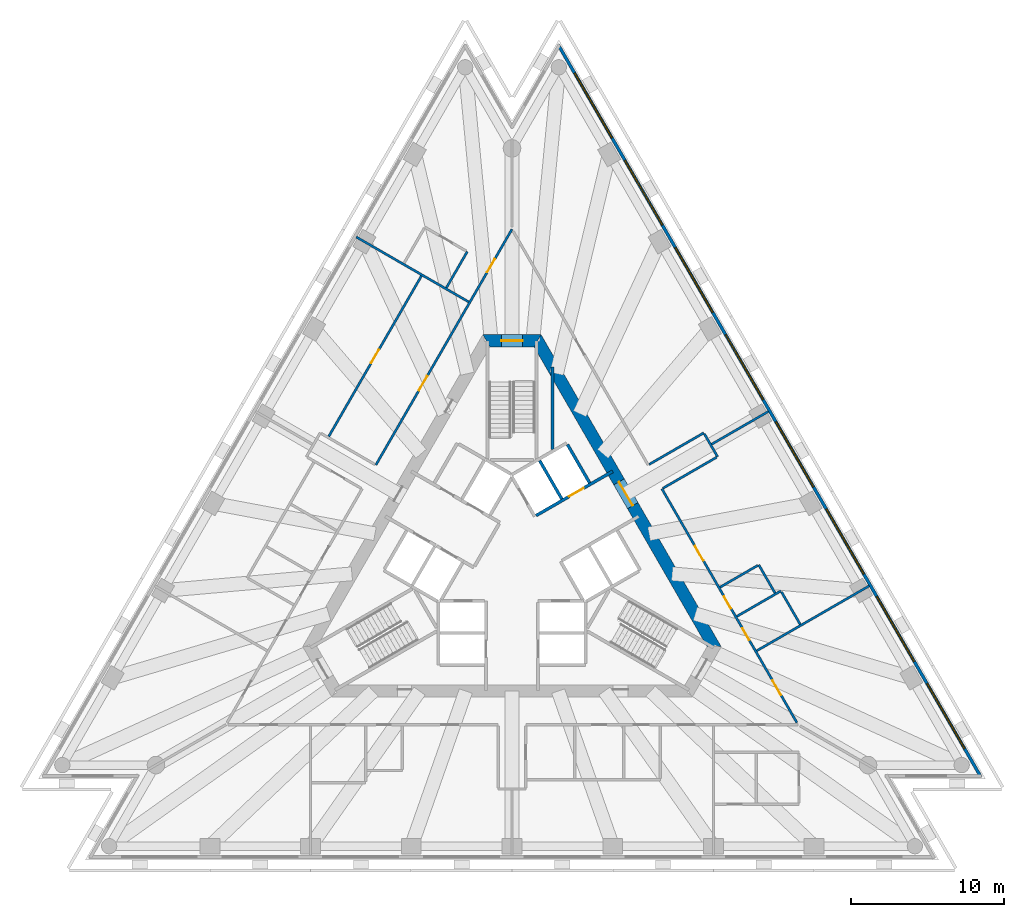
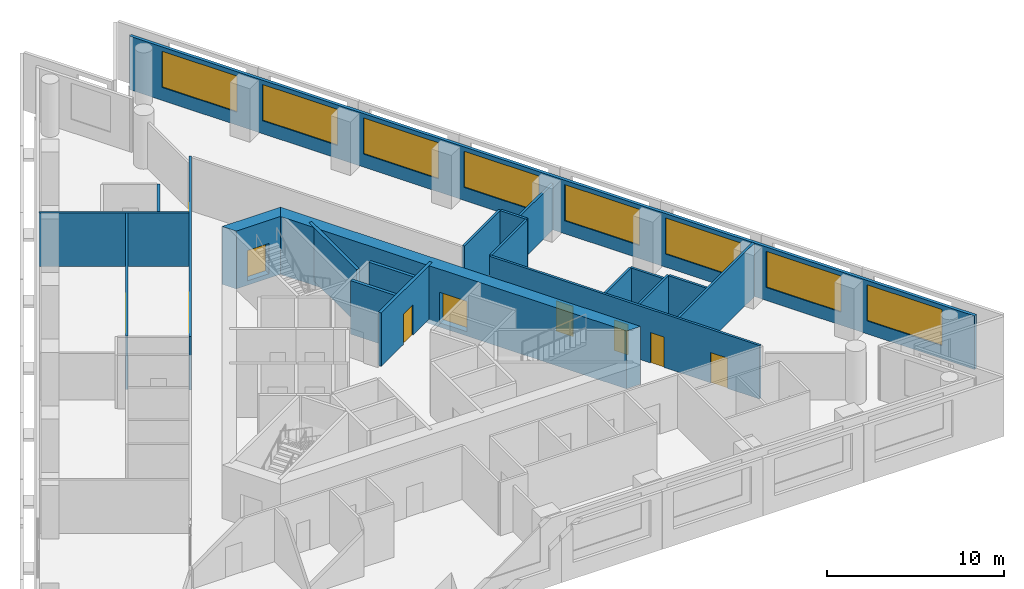
# One storey, part 6 of 10: 21 walls, 10 doors, 8 windows, 18 openings.
"""IFC4 building model written with IfcOpenShell, lengths in metres."""

import ifcopenshell
import ifcopenshell.guid

model = None  # the IFC model being written
_history = None  # IfcOwnerHistory: only IFC2X3 demands one
_inside = {}  # id of a spatial element -> (the spatial element, [elements in it])
_under = {}  # id of a project, library or spatial element -> (it, [spatial elements below it])
_declared = {}  # id of a project -> (the project, [libraries it declares])
_typed = {}  # id of a type object -> (the type object, [elements of that type])
_made_of = {}  # id of a material, layer set ... -> (it, [elements and type objects made of it])


def new_model(schema):
    """Start an empty IFC model of exactly this schema.

    Asked for "IFC4X3", IfcOpenShell would pick the latest addendum, in which some entities
    have other attributes; the version numbers below select the first issue.
    IFC2X3 requires an IfcOwnerHistory on every rooted entity: one is made here for all.
    """
    global model, _history
    if schema == "IFC4X3":
        model = ifcopenshell.file(schema_version=(4, 3, 0, 0))
    else:
        model = ifcopenshell.file(schema=schema)
    _inside.clear()
    _under.clear()
    _declared.clear()
    _typed.clear()
    _made_of.clear()
    _history = None
    if model.schema == "IFC2X3":
        org = make("IfcOrganization", Name="unknown")
        user = make(
            "IfcPersonAndOrganization",
            ThePerson=make("IfcPerson", FamilyName="unknown"),
            TheOrganization=org,
        )
        app = make(
            "IfcApplication",
            ApplicationDeveloper=org,
            Version="unknown",
            ApplicationFullName="unknown",
            ApplicationIdentifier="unknown",
        )
        _history = make(
            "IfcOwnerHistory",
            OwningUser=user,
            OwningApplication=app,
            ChangeAction="ADDED",
            CreationDate=0,
        )
    return model


def make(cls, **values):
    """One entity of the class cls with the attributes given. An attribute that is None is left unset."""
    return model.create_entity(
        cls, **{name: value for name, value in values.items() if value is not None}
    )


def rooted(cls, **values):
    """An entity with a GlobalId (a new one), such as an element, a storey or a relation."""
    return make(cls, GlobalId=ifcopenshell.guid.new(), OwnerHistory=_history, **values)


def si_unit(unit_type, name, prefix=None):
    """IfcSIUnit, for example si_unit("LENGTHUNIT", "METRE", prefix="MILLI")."""
    return make("IfcSIUnit", UnitType=unit_type, Prefix=prefix, Name=name)


def assignment(units):
    """IfcUnitAssignment: the units of a project."""
    return None if units is None else make("IfcUnitAssignment", Units=units)


def point(xyz):
    """IfcCartesianPoint."""
    return None if xyz is None else make("IfcCartesianPoint", Coordinates=xyz)


def direction(xyz):
    """IfcDirection."""
    return None if xyz is None else make("IfcDirection", DirectionRatios=xyz)


def frame(location, z_axis=None, x_axis=None):
    """IfcAxis2Placement3D, a coordinate frame: its origin and axes. An axis left out is left unset."""
    return make(
        "IfcAxis2Placement3D",
        Location=point(location),
        Axis=direction(z_axis),
        RefDirection=direction(x_axis),
    )


def frame_2d(location, x_axis=None):
    """IfcAxis2Placement2D, a coordinate frame in the plane: its origin and x axis."""
    return make(
        "IfcAxis2Placement2D", Location=point(location), RefDirection=direction(x_axis)
    )


def origin():
    """The frame at (0, 0, 0) with its axes left unset."""
    return frame((0.0, 0.0, 0.0))


def place(relative_to, where):
    """IfcLocalPlacement: puts the frame where relative to a parent placement (None: the world)."""
    return make(
        "IfcLocalPlacement", PlacementRelTo=relative_to, RelativePlacement=where
    )


def context(
    kind, dimensions, precision=None, world=None, true_north=None, identifier=None
):
    """IfcGeometricRepresentationContext, for example the 3D "Model" context."""
    return make(
        "IfcGeometricRepresentationContext",
        ContextIdentifier=identifier,
        ContextType=kind,
        CoordinateSpaceDimension=dimensions,
        Precision=precision,
        WorldCoordinateSystem=world,
        TrueNorth=true_north,
    )


def subcontext(parent, identifier, kind, view, scale=None):
    """IfcGeometricRepresentationSubContext, for example "Body" below "Model"."""
    return make(
        "IfcGeometricRepresentationSubContext",
        ContextIdentifier=identifier,
        ContextType=kind,
        ParentContext=parent,
        TargetScale=scale,
        TargetView=view,
    )


def project(units=None, contexts=None):
    """IfcProject with its units and contexts."""
    return rooted(
        "IfcProject",
        Name="project",
        RepresentationContexts=contexts,
        UnitsInContext=assignment(units),
    )


def spatial(cls, under=None, at=None, **own):
    """A site, building, storey or space (cls), placed at a placement, below another one or the project."""
    s = rooted(cls, ObjectPlacement=at, **own)
    if under is not None:
        _under.setdefault(under.id(), (under, []))[1].append(s)
    return s


def polyline(points):
    """IfcPolyline through the points."""
    return make("IfcPolyline", Points=[point(p) for p in points])


def profile(cls, at=None, kind="AREA", **sizes):
    """A parametric profile (cls). Its sizes go by their IFC names, for example OverallWidth=200.0."""
    return make(cls, ProfileType=kind, Position=at, **sizes)


def rectangle(**sizes):
    """IfcRectangleProfileDef."""
    return profile("IfcRectangleProfileDef", **sizes)


def outline(outer, holes=None, kind="AREA"):
    """IfcArbitraryClosedProfileDef: a profile drawn as a closed curve; with holes, ...WithVoids."""
    if holes is None:
        return make("IfcArbitraryClosedProfileDef", ProfileType=kind, OuterCurve=outer)
    return make(
        "IfcArbitraryProfileDefWithVoids",
        ProfileType=kind,
        OuterCurve=outer,
        InnerCurves=holes,
    )


def extrude(swept, where, along, depth):
    """IfcExtrudedAreaSolid: the profile swept, set in the frame where, extruded along a direction by depth."""
    return make(
        "IfcExtrudedAreaSolid",
        SweptArea=swept,
        Position=where,
        ExtrudedDirection=direction(along),
        Depth=depth,
    )


def shape(context_of_items, identifier, shape_type, items):
    """IfcShapeRepresentation: the items that make up one representation, for example the "Body"."""
    return make(
        "IfcShapeRepresentation",
        ContextOfItems=context_of_items,
        RepresentationIdentifier=identifier,
        RepresentationType=shape_type,
        Items=items,
    )


def material(Name=None, Category=None):
    """IfcMaterial."""
    return make("IfcMaterial", Name=Name, Category=Category)


def layer(
    of_material, thickness, ventilated=None, Name=None, Category=None, Priority=None
):
    """IfcMaterialLayer: one layer of a wall or slab, of a material (None: an air gap)."""
    return make(
        "IfcMaterialLayer",
        Material=of_material,
        LayerThickness=thickness,
        IsVentilated=ventilated,
        Name=Name,
        Category=Category,
        Priority=Priority,
    )


def layer_set(layers, Name=None):
    """IfcMaterialLayerSet."""
    return make("IfcMaterialLayerSet", MaterialLayers=layers, LayerSetName=Name)


def layer_usage(for_layer_set, set_direction, sense, offset, extent=None):
    """IfcMaterialLayerSetUsage: how a layer set lies in its element."""
    return make(
        "IfcMaterialLayerSetUsage",
        ForLayerSet=for_layer_set,
        LayerSetDirection=set_direction,
        DirectionSense=sense,
        OffsetFromReferenceLine=offset,
        ReferenceExtent=extent,
    )


def made_of(thing, what):
    """Note that an element or type object is made of a material, layer set ...; save() writes the relation."""
    if what is not None:
        _made_of.setdefault(what.id(), (what, []))[1].append(thing)
    return thing


def type_object(cls, material=None, **own):
    """A type object (cls), such as IfcWallType, which elements share."""
    return made_of(rooted(cls, **own), material)


def element(
    cls,
    number,
    at=None,
    inside=None,
    cuts=None,
    type_object=None,
    material=None,
    context=None,
    identifier="Body",
    shape_type=None,
    held_by="IfcProductDefinitionShape",
    body=None,
    shapes=None,
    **own,
):
    """One element of the class cls, such as IfcWall. Its Tag is "e" and its number.

    at: its placement. inside: the storey or other place that contains it. cuts: it is an
    opening in that element (IfcRelVoidsElement). A single representation is given by context,
    identifier, shape_type and body (its items); several are given by shapes. held_by: the class
    of the entity that holds the representations. save() writes the other relations.
    """
    e = rooted(cls, Tag="e%d" % number, ObjectPlacement=at, **own)
    if body is not None:
        shapes = [shape(context, identifier, shape_type, body)]
    if shapes is not None:
        e.Representation = make(held_by, Representations=shapes)
    if inside is not None:
        _inside.setdefault(inside.id(), (inside, []))[1].append(e)
    if cuts is not None:
        rooted(
            "IfcRelVoidsElement", RelatingBuildingElement=cuts, RelatedOpeningElement=e
        )
    if type_object is not None:
        _typed.setdefault(type_object.id(), (type_object, []))[1].append(e)
    return made_of(e, material)


def fill(opening, filler):
    """IfcRelFillsElement: the door or window that sits in an opening."""
    return rooted(
        "IfcRelFillsElement",
        RelatingOpeningElement=opening,
        RelatedBuildingElement=filler,
    )


def aggregate(whole, parts):
    """IfcRelAggregates: a whole, such as a stair, and the parts it consists of."""
    return rooted("IfcRelAggregates", RelatingObject=whole, RelatedObjects=parts)


def save(model, path):
    """Write the relations noted so far, then the file.

    IfcRelAggregates (storeys below a building ...), IfcRelContainedInSpatialStructure (elements
    in a storey), IfcRelDefinesByType, IfcRelAssociatesMaterial and IfcRelDeclares: one each for
    every whole, place, type object, material and project.
    """
    for whole, parts in _under.values():
        aggregate(whole, parts)
    for where, things in _inside.values():
        rooted(
            "IfcRelContainedInSpatialStructure",
            RelatedElements=things,
            RelatingStructure=where,
        )
    for kind, things in _typed.values():
        rooted("IfcRelDefinesByType", RelatedObjects=things, RelatingType=kind)
    for what, things in _made_of.values():
        rooted("IfcRelAssociatesMaterial", RelatedObjects=things, RelatingMaterial=what)
    for by, libraries in _declared.values():
        rooted("IfcRelDeclares", RelatingContext=by, RelatedDefinitions=libraries)
    model.write(path)


model = new_model("IFC4")

# Units and contexts
model_context = context("Model", 3, precision=1e-05, world=origin(), true_north=direction((0.0, 1.0)))
body_context = subcontext(model_context, "Body", "Model", "MODEL_VIEW")
ifc_project = project(units=[si_unit("LENGTHUNIT", "METRE"), si_unit("AREAUNIT", "SQUARE_METRE"), si_unit("VOLUMEUNIT", "CUBIC_METRE"), si_unit("PLANEANGLEUNIT", "RADIAN"), si_unit("MASSUNIT", "GRAM", prefix="KILO")], contexts=[model_context])

# Site, building, storey
site_placement = place(None, origin())
site = spatial("IfcSite", under=ifc_project, at=site_placement, CompositionType="ELEMENT")
building_placement = place(site_placement, origin())
building = spatial("IfcBuilding", under=site, at=building_placement, Name="Triada Interchange Tower", CompositionType="ELEMENT")
storey_placement = place(building_placement, frame((0.0, 0.0, 156.300048828125)))
storey = spatial("IfcBuildingStorey", under=building, at=storey_placement, Name="L36", CompositionType="ELEMENT", Elevation=156.300048828125)

# Wall, opening, door
ifc_material_1 = material(Name="Concrete C30/37", Category="concrete")
ifc_layer_1 = layer(ifc_material_1, 0.199951171875)
ifc_layer_set_1 = layer_set([ifc_layer_1], Name="CORE WALL 200 EI 120")
wall_type_1 = type_object("IfcWallType", Name="CORE WALL 200 EI 120", PredefinedType="SOLIDWALL", material=ifc_layer_set_1)
wall_1_placement = place(storey_placement, frame((1.576904296875, 2.8740234375, 0.0), z_axis=(0.0, 0.0, 1.0), x_axis=(0.866073694534, 0.499916348638, 0.0)))
wall_1 = element("IfcWall", 1, at=wall_1_placement, inside=storey, type_object=wall_type_1, Name="Wall L35 64", PredefinedType="SOLIDWALL", context=body_context, shape_type="SweptSolid", body=[
    extrude(rectangle(XDim=5.77685546875, YDim=0.199951171875, at=frame_2d((2.888427734375, 0.0))), origin(), (0.0, 0.0, 1.0), 3.699951171875),
])
opening_1_placement = place(wall_1_placement, frame((2.4970703125, 0.0, 0.0)))
opening_1 = element("IfcOpeningElement", 2, at=opening_1_placement, cuts=wall_1, Name="Opening LD-LR6", PredefinedType="OPENING", context=body_context, shape_type="SweptSolid", body=[
    extrude(rectangle(XDim=1.10009765625, YDim=2.10009765625, at=frame_2d((0.550048828125, 1.050048828125))), frame((0.0, 0.10986328125, 0.0), z_axis=(0.0, -1.0, 0.0), x_axis=(1.0, 0.0, 0.0)), (0.0, 0.0, 1.0), 0.219970703125),
])
ifc_material_2 = material(Name="Steel S235 door leaf", Category="steel")
door_type_1 = type_object("IfcDoorType", Name="LIFT LANDING DOOR 1100 EI 120", OperationType="SLIDING_TO_LEFT", PredefinedType="DOOR", material=ifc_material_2)
door_1_placement = place(opening_1_placement, origin())
door_1 = element("IfcDoor", 3, at=door_1_placement, inside=storey, type_object=door_type_1, Name="LR6 landing door L36", OperationType="SLIDING_TO_LEFT", OverallHeight=2.10009765625, OverallWidth=1.10009765625, PredefinedType="DOOR", context=body_context, shape_type="SweptSolid", body=[
    extrude(rectangle(XDim=1.10009765625, YDim=2.10009765625, at=frame_2d((0.550048828125, 1.050048828125))), frame((0.0, 0.02490234375, 0.0), z_axis=(0.0, -1.0, 0.0), x_axis=(1.0, 0.0, 0.0)), (0.0, 0.0, 1.0), 0.050048828125),
])
fill(opening_1, door_1)

# Walls
for number, where, z_axis, x_axis, name in (
    (4, (1.806884765625, 6.469970703125, 0.0), (0.0, 0.0, 1.0), (0.50012328804, -0.865954211699, 0.0), "Wall L35 67"),
    (5, (3.6259765625, 7.52001953125, 0.0), (0.0, 0.0, 1.0), (0.500060147554, -0.865990674793, 0.0), "Wall L35 69"),
):
    element("IfcWall", number, at=place(storey_placement, frame(where, z_axis=z_axis, x_axis=x_axis)), inside=storey, type_object=wall_type_1, Name=name, PredefinedType="SOLIDWALL", context=body_context, shape_type="SweptSolid", body=[
        extrude(rectangle(XDim=2.899658203125, YDim=0.199951171875, at=frame_2d((1.44970703125, 0.0))), origin(), (0.0, 0.0, 1.0), 3.699951171875),
    ])
ifc_layer_2 = layer(ifc_material_1, 0.199951171875)
ifc_layer_set_2 = layer_set([ifc_layer_2], Name="CORE WALL 200 EI 90")
wall_type_2 = type_object("IfcWallType", Name="CORE WALL 200 EI 90", PredefinedType="SOLIDWALL", material=ifc_layer_set_2)
wall_2_placement = place(storey_placement, frame((2.64404296875, 7.18505859375, 0.0), z_axis=(0.0, 0.0, 1.0), x_axis=(0.0, 1.0, 0.0)))
element("IfcWall", 6, at=wall_2_placement, inside=storey, type_object=wall_type_2, Name="Wall L35 88", PredefinedType="SOLIDWALL", context=body_context, shape_type="SweptSolid", body=[
    extrude(rectangle(XDim=5.39501953125, YDim=0.199951171875, at=frame_2d((2.697509765625, 0.0))), origin(), (0.0, 0.0, 1.0), 3.699951171875),
])

# Wall, opening, door
ifc_material_3 = material(Name="Concrete C60/75", Category="concrete")
ifc_layer_3 = layer(ifc_material_3, 0.800048828125)
ifc_layer_set_3 = layer_set([ifc_layer_3], Name="Core wall B 800")
wall_type_3 = type_object("IfcWallType", Name="Core wall B 800", PredefinedType="SHEAR", material=ifc_layer_set_3)
wall_3_placement = place(storey_placement, frame((1.674072265625, 14.300048828125, -0.300048828125), z_axis=(0.0, 0.0, 1.0), x_axis=(-1.0, 0.0, 0.0)))
wall_3 = element("IfcWall", 7, at=wall_3_placement, inside=storey, type_object=wall_type_3, Name="Core wall WB01 L36", PredefinedType="SHEAR", context=body_context, shape_type="SweptSolid", body=[
    extrude(outline(polyline([(-0.23095703125, -0.39990234375), (1.674072265625, -0.39990234375), (3.5791015625, -0.39990234375), (3.116943359375, 0.39990234375), (1.673828125, 0.39990234375), (0.23095703125, 0.39990234375), (-0.23095703125, -0.39990234375)])), origin(), (0.0, 0.0, 1.0), 4.0),
])
opening_2_placement = place(wall_3_placement, frame((0.97412109375, 0.0, 0.300048828125)))
opening_2 = element("IfcOpeningElement", 8, at=opening_2_placement, cuts=wall_3, Name="Opening D35-37", PredefinedType="OPENING", context=body_context, shape_type="SweptSolid", body=[
    extrude(rectangle(XDim=1.39990234375, YDim=2.10009765625, at=frame_2d((0.699951171875, 1.050048828125))), frame((0.0, 0.409912109375, 0.0), z_axis=(0.0, -1.0, 0.0), x_axis=(1.0, 0.0, 0.0)), (0.0, 0.0, 1.0), 0.820068359375),
])
door_type_2 = type_object("IfcDoorType", Name="STAIR DOOR 1400 EI2 90-C5S200", OperationType="DOUBLE_DOOR_SINGLE_SWING", PredefinedType="DOOR", material=ifc_material_2)
door_2_placement = place(opening_2_placement, origin())
door_2 = element("IfcDoor", 9, at=door_2_placement, inside=storey, type_object=door_type_2, Name="Door D35-37 L36", OperationType="DOUBLE_DOOR_SINGLE_SWING", OverallHeight=2.10009765625, OverallWidth=1.39990234375, PredefinedType="DOOR", context=body_context, shape_type="SweptSolid", body=[
    extrude(rectangle(XDim=1.39990234375, YDim=2.10009765625, at=frame_2d((0.699951171875, 1.050048828125))), frame((0.0, 0.02490234375, 0.0), z_axis=(0.0, -1.0, 0.0), x_axis=(1.0, 0.0, 0.0)), (0.0, 0.0, 1.0), 0.050048828125),
])
fill(opening_2, door_2)

wall_4_placement = place(storey_placement, frame((13.220947265625, -5.699951171875, -0.300048828125), z_axis=(0.0, 0.0, 1.0), x_axis=(-0.499995765644, 0.866027848477, 0.0)))
wall_4 = element("IfcWall", 10, at=wall_4_placement, inside=storey, type_object=wall_type_3, Name="Core wall WB06 L36", PredefinedType="SHEAR", context=body_context, shape_type="SweptSolid", body=[
    extrude(outline(polyline([(-0.23095703125, -0.39990234375), (1.73193359375, -0.39990234375), (3.695068359375, -0.39990234375), (5.657958984375, -0.39990234375), (7.62109375, -0.39990234375), (9.583984375, -0.39990234375), (11.546875, -0.39990234375), (13.510009765625, -0.39990234375), (15.472900390625, -0.39990234375), (17.43603515625, -0.39990234375), (19.39892578125, -0.39990234375), (21.362060546875, -0.39990234375), (23.324951171875, -0.39990234375), (22.863037109375, 0.39990234375), (20.97705078125, 0.39990234375), (19.091064453125, 0.39990234375), (17.205078125, 0.39990234375), (15.319091796875, 0.39990234375), (13.43310546875, 0.39990234375), (11.546875, 0.39990234375), (9.660888671875, 0.39990234375), (7.77490234375, 0.39990234375), (5.888916015625, 0.39990234375), (4.0029296875, 0.39990234375), (2.116943359375, 0.39990234375), (0.23095703125, 0.39990234375), (-0.23095703125, -0.39990234375)])), origin(), (0.0, 0.0, 1.0), 4.0),
])
opening_3_placement = place(wall_4_placement, frame((10.64697265625, 0.0, 0.300048828125)))
opening_3 = element("IfcOpeningElement", 11, at=opening_3_placement, cuts=wall_4, Name="Opening D35-36", PredefinedType="OPENING", context=body_context, shape_type="SweptSolid", body=[
    extrude(rectangle(XDim=1.800048828125, YDim=2.10009765625, at=frame_2d((0.89990234375, 1.050048828125))), frame((0.0, 0.409912109375, 0.0), z_axis=(0.0, -1.0, 0.0), x_axis=(1.0, 0.0, 0.0)), (0.0, 0.0, 1.0), 0.820068359375),
])
door_type_3 = type_object("IfcDoorType", Name="LOBBY DOOR 1800 EI2 90-C5S200", OperationType="DOUBLE_DOOR_SINGLE_SWING", PredefinedType="DOOR", material=ifc_material_2)
door_3_placement = place(opening_3_placement, origin())
door_3 = element("IfcDoor", 12, at=door_3_placement, inside=storey, type_object=door_type_3, Name="Door D35-36 L36", OperationType="DOUBLE_DOOR_SINGLE_SWING", OverallHeight=2.10009765625, OverallWidth=1.800048828125, PredefinedType="DOOR", context=body_context, shape_type="SweptSolid", body=[
    extrude(rectangle(XDim=1.800048828125, YDim=2.10009765625, at=frame_2d((0.89990234375, 1.050048828125))), frame((0.0, 0.02490234375, 0.0), z_axis=(0.0, -1.0, 0.0), x_axis=(1.0, 0.0, 0.0)), (0.0, 0.0, 1.0), 0.050048828125),
])
fill(opening_3, door_3)

# Wall, openings, windows
ifc_material_4 = material(Name="Cement board")
ifc_layer_4 = layer(ifc_material_4, 0.02001953125, Name="Cement board cladding")
ifc_material_5 = material(Name="Sheathing board")
ifc_layer_5 = layer(ifc_material_5, 0.014892578125, Name="Sheathing board")
ifc_material_6 = material(Name="Mineral wool")
ifc_layer_6 = layer(ifc_material_6, 0.14990234375, Name="Mineral wool between steel studs")
ifc_material_7 = material(Name="Gypsum board")
ifc_layer_7 = layer(ifc_material_7, 0.014892578125, Name="Plasterboard lining")
ifc_layer_set_4 = layer_set([ifc_layer_4, ifc_layer_5, ifc_layer_6, ifc_layer_7], Name="External wall 200")
ifc_layer_usage = layer_usage(ifc_layer_set_4, "AXIS2", "POSITIVE", -0.10009765625)
wall_type_4 = type_object("IfcWallType", Name="External wall 200", PredefinedType="ELEMENTEDWALL", material=ifc_layer_set_4)
wall_5_placement = place(storey_placement, frame((30.6640625, -14.219970703125, 0.0), z_axis=(0.0, 0.0, 1.0), x_axis=(-0.499984613623, 0.866034286931, 0.0)))
wall_5 = element("IfcWall", 13, at=wall_5_placement, inside=storey, type_object=wall_type_4, material=ifc_layer_usage, Name="External wall L36 NE", PredefinedType="ELEMENTEDWALL", context=body_context, shape_type="SweptSolid", body=[
    extrude(rectangle(XDim=55.273681640625, YDim=0.199951171875, at=frame_2d((27.63671875, 0.0))), origin(), (0.0, 0.0, 1.0), 3.699951171875),
])
opening_4_placement = place(wall_5_placement, frame((2.14599609375, 0.0, 0.89990234375)))
opening_4 = element("IfcOpeningElement", 14, at=opening_4_placement, cuts=wall_5, Name="Opening WB21", PredefinedType="OPENING", context=body_context, shape_type="SweptSolid", body=[
    extrude(rectangle(XDim=4.89990234375, YDim=2.5, at=frame_2d((2.449951171875, 1.25))), frame((0.0, 0.10986328125, 0.0), z_axis=(0.0, -1.0, 0.0), x_axis=(1.0, 0.0, 0.0)), (0.0, 0.0, 1.0), 0.219970703125),
])
opening_5_placement = place(wall_5_placement, frame((8.73193359375, 0.0, 0.89990234375)))
opening_5 = element("IfcOpeningElement", 15, at=opening_5_placement, cuts=wall_5, Name="Opening WB22", PredefinedType="OPENING", context=body_context, shape_type="SweptSolid", body=[
    extrude(rectangle(XDim=4.89990234375, YDim=2.5, at=frame_2d((2.449951171875, 1.25))), frame((0.0, 0.10986328125, 0.0), z_axis=(0.0, -1.0, 0.0), x_axis=(1.0, 0.0, 0.0)), (0.0, 0.0, 1.0), 0.219970703125),
])
opening_6_placement = place(wall_5_placement, frame((15.318115234375, 0.0, 0.89990234375)))
opening_6 = element("IfcOpeningElement", 16, at=opening_6_placement, cuts=wall_5, Name="Opening WB23", PredefinedType="OPENING", context=body_context, shape_type="SweptSolid", body=[
    extrude(rectangle(XDim=4.89990234375, YDim=2.5, at=frame_2d((2.449951171875, 1.25))), frame((0.0, 0.10986328125, 0.0), z_axis=(0.0, -1.0, 0.0), x_axis=(1.0, 0.0, 0.0)), (0.0, 0.0, 1.0), 0.219970703125),
])
opening_7_placement = place(wall_5_placement, frame((21.904052734375, 0.0, 0.89990234375)))
opening_7 = element("IfcOpeningElement", 17, at=opening_7_placement, cuts=wall_5, Name="Opening WB24", PredefinedType="OPENING", context=body_context, shape_type="SweptSolid", body=[
    extrude(rectangle(XDim=4.89990234375, YDim=2.5, at=frame_2d((2.449951171875, 1.25))), frame((0.0, 0.10986328125, 0.0), z_axis=(0.0, -1.0, 0.0), x_axis=(1.0, 0.0, 0.0)), (0.0, 0.0, 1.0), 0.219970703125),
])
opening_8_placement = place(wall_5_placement, frame((28.489990234375, 0.0, 0.89990234375)))
opening_8 = element("IfcOpeningElement", 18, at=opening_8_placement, cuts=wall_5, Name="Opening WB25", PredefinedType="OPENING", context=body_context, shape_type="SweptSolid", body=[
    extrude(rectangle(XDim=4.89990234375, YDim=2.5, at=frame_2d((2.449951171875, 1.25))), frame((0.0, 0.10986328125, 0.0), z_axis=(0.0, -1.0, 0.0), x_axis=(1.0, 0.0, 0.0)), (0.0, 0.0, 1.0), 0.219970703125),
])
opening_9_placement = place(wall_5_placement, frame((35.075927734375, 0.0, 0.89990234375)))
opening_9 = element("IfcOpeningElement", 19, at=opening_9_placement, cuts=wall_5, Name="Opening WB26", PredefinedType="OPENING", context=body_context, shape_type="SweptSolid", body=[
    extrude(rectangle(XDim=4.89990234375, YDim=2.5, at=frame_2d((2.449951171875, 1.25))), frame((0.0, 0.10986328125, 0.0), z_axis=(0.0, -1.0, 0.0), x_axis=(1.0, 0.0, 0.0)), (0.0, 0.0, 1.0), 0.219970703125),
])
opening_10_placement = place(wall_5_placement, frame((41.662109375, 0.0, 0.89990234375)))
opening_10 = element("IfcOpeningElement", 20, at=opening_10_placement, cuts=wall_5, Name="Opening WB27", PredefinedType="OPENING", context=body_context, shape_type="SweptSolid", body=[
    extrude(rectangle(XDim=4.89990234375, YDim=2.5, at=frame_2d((2.449951171875, 1.25))), frame((0.0, 0.10986328125, 0.0), z_axis=(0.0, -1.0, 0.0), x_axis=(1.0, 0.0, 0.0)), (0.0, 0.0, 1.0), 0.219970703125),
])
opening_11_placement = place(wall_5_placement, frame((48.248046875, 0.0, 0.89990234375)))
opening_11 = element("IfcOpeningElement", 21, at=opening_11_placement, cuts=wall_5, Name="Opening WB28", PredefinedType="OPENING", context=body_context, shape_type="SweptSolid", body=[
    extrude(rectangle(XDim=4.89990234375, YDim=2.5, at=frame_2d((2.449951171875, 1.25))), frame((0.0, 0.10986328125, 0.0), z_axis=(0.0, -1.0, 0.0), x_axis=(1.0, 0.0, 0.0)), (0.0, 0.0, 1.0), 0.219970703125),
])
ifc_material_8 = material(Name="Double glazed aluminium window", Category="aluminium")
window_type = type_object("IfcWindowType", Name="Ribbon window B face", PartitioningType="SINGLE_PANEL", PredefinedType="WINDOW", material=ifc_material_8)
window_1_placement = place(opening_4_placement, origin())
window_1 = element("IfcWindow", 22, at=window_1_placement, inside=storey, type_object=window_type, Name="Window L36 NE 1", OverallHeight=2.5, OverallWidth=4.89990234375, PartitioningType="SINGLE_PANEL", PredefinedType="WINDOW", context=body_context, shape_type="SweptSolid", body=[
    extrude(rectangle(XDim=4.89990234375, YDim=2.5, at=frame_2d((2.449951171875, 1.25))), frame((0.0, 0.030029296875, 0.0), z_axis=(0.0, -1.0, 0.0), x_axis=(1.0, 0.0, 0.0)), (0.0, 0.0, 1.0), 0.06005859375),
])
fill(opening_4, window_1)
window_2_placement = place(opening_5_placement, origin())
window_2 = element("IfcWindow", 23, at=window_2_placement, inside=storey, type_object=window_type, Name="Window L36 NE 2", OverallHeight=2.5, OverallWidth=4.89990234375, PartitioningType="SINGLE_PANEL", PredefinedType="WINDOW", context=body_context, shape_type="SweptSolid", body=[
    extrude(rectangle(XDim=4.89990234375, YDim=2.5, at=frame_2d((2.449951171875, 1.25))), frame((0.0, 0.030029296875, 0.0), z_axis=(0.0, -1.0, 0.0), x_axis=(1.0, 0.0, 0.0)), (0.0, 0.0, 1.0), 0.06005859375),
])
fill(opening_5, window_2)
window_3_placement = place(opening_6_placement, origin())
window_3 = element("IfcWindow", 24, at=window_3_placement, inside=storey, type_object=window_type, Name="Window L36 NE 3", OverallHeight=2.5, OverallWidth=4.89990234375, PartitioningType="SINGLE_PANEL", PredefinedType="WINDOW", context=body_context, shape_type="SweptSolid", body=[
    extrude(rectangle(XDim=4.89990234375, YDim=2.5, at=frame_2d((2.449951171875, 1.25))), frame((0.0, 0.030029296875, 0.0), z_axis=(0.0, -1.0, 0.0), x_axis=(1.0, 0.0, 0.0)), (0.0, 0.0, 1.0), 0.06005859375),
])
fill(opening_6, window_3)
window_4_placement = place(opening_7_placement, origin())
window_4 = element("IfcWindow", 25, at=window_4_placement, inside=storey, type_object=window_type, Name="Window L36 NE 4", OverallHeight=2.5, OverallWidth=4.89990234375, PartitioningType="SINGLE_PANEL", PredefinedType="WINDOW", context=body_context, shape_type="SweptSolid", body=[
    extrude(rectangle(XDim=4.89990234375, YDim=2.5, at=frame_2d((2.449951171875, 1.25))), frame((0.0, 0.030029296875, 0.0), z_axis=(0.0, -1.0, 0.0), x_axis=(1.0, 0.0, 0.0)), (0.0, 0.0, 1.0), 0.06005859375),
])
fill(opening_7, window_4)
window_5_placement = place(opening_8_placement, origin())
window_5 = element("IfcWindow", 26, at=window_5_placement, inside=storey, type_object=window_type, Name="Window L36 NE 5", OverallHeight=2.5, OverallWidth=4.89990234375, PartitioningType="SINGLE_PANEL", PredefinedType="WINDOW", context=body_context, shape_type="SweptSolid", body=[
    extrude(rectangle(XDim=4.89990234375, YDim=2.5, at=frame_2d((2.449951171875, 1.25))), frame((0.0, 0.030029296875, 0.0), z_axis=(0.0, -1.0, 0.0), x_axis=(1.0, 0.0, 0.0)), (0.0, 0.0, 1.0), 0.06005859375),
])
fill(opening_8, window_5)
window_6_placement = place(opening_9_placement, origin())
window_6 = element("IfcWindow", 27, at=window_6_placement, inside=storey, type_object=window_type, Name="Window L36 NE 6", OverallHeight=2.5, OverallWidth=4.89990234375, PartitioningType="SINGLE_PANEL", PredefinedType="WINDOW", context=body_context, shape_type="SweptSolid", body=[
    extrude(rectangle(XDim=4.89990234375, YDim=2.5, at=frame_2d((2.449951171875, 1.25))), frame((0.0, 0.030029296875, 0.0), z_axis=(0.0, -1.0, 0.0), x_axis=(1.0, 0.0, 0.0)), (0.0, 0.0, 1.0), 0.06005859375),
])
fill(opening_9, window_6)
window_7_placement = place(opening_10_placement, origin())
window_7 = element("IfcWindow", 28, at=window_7_placement, inside=storey, type_object=window_type, Name="Window L36 NE 7", OverallHeight=2.5, OverallWidth=4.89990234375, PartitioningType="SINGLE_PANEL", PredefinedType="WINDOW", context=body_context, shape_type="SweptSolid", body=[
    extrude(rectangle(XDim=4.89990234375, YDim=2.5, at=frame_2d((2.449951171875, 1.25))), frame((0.0, 0.030029296875, 0.0), z_axis=(0.0, -1.0, 0.0), x_axis=(1.0, 0.0, 0.0)), (0.0, 0.0, 1.0), 0.06005859375),
])
fill(opening_10, window_7)
window_8_placement = place(opening_11_placement, origin())
window_8 = element("IfcWindow", 29, at=window_8_placement, inside=storey, type_object=window_type, Name="Window L36 NE 8", OverallHeight=2.5, OverallWidth=4.89990234375, PartitioningType="SINGLE_PANEL", PredefinedType="WINDOW", context=body_context, shape_type="SweptSolid", body=[
    extrude(rectangle(XDim=4.89990234375, YDim=2.5, at=frame_2d((2.449951171875, 1.25))), frame((0.0, 0.030029296875, 0.0), z_axis=(0.0, -1.0, 0.0), x_axis=(1.0, 0.0, 0.0)), (0.0, 0.0, 1.0), 0.06005859375),
])
fill(opening_11, window_8)

# Wall
ifc_material_9 = material(Name="Gypsum board partition")
ifc_layer_8 = layer(ifc_material_9, 0.14990234375)
ifc_layer_set_5 = layer_set([ifc_layer_8], Name="PARTITION 150 EI 180")
wall_type_5 = type_object("IfcWallType", Name="PARTITION 150 EI 180", PredefinedType="PARTITIONING", material=ifc_layer_set_5)
wall_6_placement = place(storey_placement, frame((13.054931640625, 7.5380859375, 0.0), z_axis=(0.0, 0.0, 1.0), x_axis=(0.866070942811, 0.499921115796, 0.0)))
element("IfcWall", 30, at=wall_6_placement, inside=storey, type_object=wall_type_5, Name="Wall L35 2", PredefinedType="PARTITIONING", context=body_context, shape_type="SweptSolid", body=[
    extrude(rectangle(XDim=4.290771484375, YDim=0.14990234375, at=frame_2d((2.1455078125, 0.0))), origin(), (0.0, 0.0, 1.0), 3.199951171875),
])

# Wall, openings, doors
wall_7_placement = place(storey_placement, frame((-8.902099609375, 6.180908203125, 0.0), z_axis=(0.0, 0.0, 1.0), x_axis=(0.499992688384, 0.866029625107, 0.0)))
wall_7 = element("IfcWall", 31, at=wall_7_placement, inside=storey, type_object=wall_type_5, Name="Wall L35 7", PredefinedType="PARTITIONING", context=body_context, shape_type="SweptSolid", body=[
    extrude(rectangle(XDim=17.804443359375, YDim=0.14990234375, at=frame_2d((8.90234375, 0.0))), origin(), (0.0, 0.0, 1.0), 3.699951171875),
])
opening_12_placement = place(wall_7_placement, frame((14.553955078125, 0.0, 0.0)))
opening_12 = element("IfcOpeningElement", 32, at=opening_12_placement, cuts=wall_7, Name="Opening D35-27", PredefinedType="OPENING", context=body_context, shape_type="SweptSolid", body=[
    extrude(rectangle(XDim=1.0, YDim=2.10009765625, at=frame_2d((0.5, 1.050048828125))), frame((0.0, 0.0849609375, 0.0), z_axis=(0.0, -1.0, 0.0), x_axis=(1.0, 0.0, 0.0)), (0.0, 0.0, 1.0), 0.169921875),
])
opening_13_placement = place(wall_7_placement, frame((5.6201171875, 0.0, 0.0)))
opening_13 = element("IfcOpeningElement", 33, at=opening_13_placement, cuts=wall_7, Name="Opening D35-29", PredefinedType="OPENING", context=body_context, shape_type="SweptSolid", body=[
    extrude(rectangle(XDim=1.10009765625, YDim=2.10009765625, at=frame_2d((0.550048828125, 1.050048828125))), frame((0.0, 0.0849609375, 0.0), z_axis=(0.0, -1.0, 0.0), x_axis=(1.0, 0.0, 0.0)), (0.0, 0.0, 1.0), 0.169921875),
])
door_type_4 = type_object("IfcDoorType", Name="ROOM DOOR 1000 EI2 90-C5S200", OperationType="NOTDEFINED", PredefinedType="DOOR", material=ifc_material_2)
door_4_placement = place(opening_12_placement, origin())
door_4 = element("IfcDoor", 34, at=door_4_placement, inside=storey, type_object=door_type_4, Name="Door D35-27 L36", OperationType="SINGLE_SWING_RIGHT", OverallHeight=2.10009765625, OverallWidth=1.0, PredefinedType="DOOR", context=body_context, shape_type="SweptSolid", body=[
    extrude(rectangle(XDim=1.0, YDim=2.10009765625, at=frame_2d((0.5, 1.050048828125))), frame((0.0, 0.02490234375, 0.0), z_axis=(0.0, -1.0, 0.0), x_axis=(1.0, 0.0, 0.0)), (0.0, 0.0, 1.0), 0.050048828125),
])
fill(opening_12, door_4)
door_type_5 = type_object("IfcDoorType", Name="TENANCY ENTRANCE DOOR 1100 EI2 90-C5S200", OperationType="NOTDEFINED", PredefinedType="DOOR", material=ifc_material_2)
door_5_placement = place(opening_13_placement, origin())
door_5 = element("IfcDoor", 35, at=door_5_placement, inside=storey, type_object=door_type_5, Name="Door D35-29 L36", OperationType="SINGLE_SWING_LEFT", OverallHeight=2.10009765625, OverallWidth=1.10009765625, PredefinedType="DOOR", context=body_context, shape_type="SweptSolid", body=[
    extrude(rectangle(XDim=1.10009765625, YDim=2.10009765625, at=frame_2d((0.550048828125, 1.050048828125))), frame((0.0, 0.02490234375, 0.0), z_axis=(0.0, -1.0, 0.0), x_axis=(1.0, 0.0, 0.0)), (0.0, 0.0, 1.0), 0.050048828125),
])
fill(opening_13, door_5)

# Wall
wall_8_placement = place(storey_placement, frame((-10.18603515625, 21.091064453125, 0.0), z_axis=(0.0, 0.0, 1.0), x_axis=(0.866012267213, -0.500022752519, 0.0)))
element("IfcWall", 36, at=wall_8_placement, inside=storey, type_object=wall_type_5, Name="Wall L35 20", PredefinedType="PARTITIONING", context=body_context, shape_type="SweptSolid", body=[
    extrude(rectangle(XDim=8.49169921875, YDim=0.14990234375, at=frame_2d((4.245849609375, 0.0))), origin(), (0.0, 0.0, 1.0), 3.699951171875),
])

# Wall, openings, doors
wall_9_placement = place(storey_placement, frame((9.802978515625, 4.6201171875, 0.0), z_axis=(0.0, 0.0, 1.0), x_axis=(0.500017706633, -0.866015180614, 0.0)))
wall_9 = element("IfcWall", 37, at=wall_9_placement, inside=storey, type_object=wall_type_5, Name="Wall L35 29", PredefinedType="PARTITIONING", context=body_context, shape_type="SweptSolid", body=[
    extrude(rectangle(XDim=17.655517578125, YDim=0.14990234375, at=frame_2d((8.82763671875, 0.0))), origin(), (0.0, 0.0, 1.0), 3.699951171875),
])
opening_14_placement = place(wall_9_placement, frame((14.4560546875, 0.0, 0.0)))
opening_14 = element("IfcOpeningElement", 38, at=opening_14_placement, cuts=wall_9, Name="Opening D35-22", PredefinedType="OPENING", context=body_context, shape_type="SweptSolid", body=[
    extrude(rectangle(XDim=1.10009765625, YDim=2.10009765625, at=frame_2d((0.550048828125, 1.050048828125))), frame((0.0, 0.0849609375, 0.0), z_axis=(0.0, -1.0, 0.0), x_axis=(1.0, 0.0, 0.0)), (0.0, 0.0, 1.0), 0.169921875),
])
opening_15_placement = place(wall_9_placement, frame((4.321044921875, 0.0, 0.0)))
opening_15 = element("IfcOpeningElement", 39, at=opening_15_placement, cuts=wall_9, Name="Opening D35-23", PredefinedType="OPENING", context=body_context, shape_type="SweptSolid", body=[
    extrude(rectangle(XDim=1.10009765625, YDim=2.10009765625, at=frame_2d((0.550048828125, 1.050048828125))), frame((0.0, 0.0849609375, 0.0), z_axis=(0.0, -1.0, 0.0), x_axis=(1.0, 0.0, 0.0)), (0.0, 0.0, 1.0), 0.169921875),
])
opening_16_placement = place(wall_9_placement, frame((10.52099609375, 0.0, 0.0)))
opening_16 = element("IfcOpeningElement", 40, at=opening_16_placement, cuts=wall_9, Name="Opening D35-24", PredefinedType="OPENING", context=body_context, shape_type="SweptSolid", body=[
    extrude(rectangle(XDim=0.89990234375, YDim=2.10009765625, at=frame_2d((0.449951171875, 1.050048828125))), frame((0.0, 0.0849609375, 0.0), z_axis=(0.0, -1.0, 0.0), x_axis=(1.0, 0.0, 0.0)), (0.0, 0.0, 1.0), 0.169921875),
])
opening_17_placement = place(wall_9_placement, frame((8.12109375, 0.0, 0.0)))
opening_17 = element("IfcOpeningElement", 41, at=opening_17_placement, cuts=wall_9, Name="Opening D35-25", PredefinedType="OPENING", context=body_context, shape_type="SweptSolid", body=[
    extrude(rectangle(XDim=0.89990234375, YDim=2.10009765625, at=frame_2d((0.449951171875, 1.050048828125))), frame((0.0, 0.0849609375, 0.0), z_axis=(0.0, -1.0, 0.0), x_axis=(1.0, 0.0, 0.0)), (0.0, 0.0, 1.0), 0.169921875),
])
door_type_6 = type_object("IfcDoorType", Name="ROOM DOOR 900 EI2 90-C5S200", OperationType="NOTDEFINED", PredefinedType="DOOR", material=ifc_material_2)
door_6_placement = place(opening_16_placement, origin())
door_6 = element("IfcDoor", 42, at=door_6_placement, inside=storey, type_object=door_type_6, Name="Door D35-24 L36", OperationType="SINGLE_SWING_LEFT", OverallHeight=2.10009765625, OverallWidth=0.89990234375, PredefinedType="DOOR", context=body_context, shape_type="SweptSolid", body=[
    extrude(rectangle(XDim=0.89990234375, YDim=2.10009765625, at=frame_2d((0.449951171875, 1.050048828125))), frame((0.0, 0.02490234375, 0.0), z_axis=(0.0, -1.0, 0.0), x_axis=(1.0, 0.0, 0.0)), (0.0, 0.0, 1.0), 0.050048828125),
])
fill(opening_16, door_6)
door_type_7 = type_object("IfcDoorType", Name="SERVICE DOOR 900 EI2 90-C5S200", OperationType="NOTDEFINED", PredefinedType="DOOR", material=ifc_material_2)
door_7_placement = place(opening_17_placement, origin())
door_7 = element("IfcDoor", 43, at=door_7_placement, inside=storey, type_object=door_type_7, Name="Door D35-25 L36", OperationType="SINGLE_SWING_LEFT", OverallHeight=2.10009765625, OverallWidth=0.89990234375, PredefinedType="DOOR", context=body_context, shape_type="SweptSolid", body=[
    extrude(rectangle(XDim=0.89990234375, YDim=2.10009765625, at=frame_2d((0.449951171875, 1.050048828125))), frame((0.0, 0.02490234375, 0.0), z_axis=(0.0, -1.0, 0.0), x_axis=(1.0, 0.0, 0.0)), (0.0, 0.0, 1.0), 0.050048828125),
])
fill(opening_17, door_7)
door_8_placement = place(opening_14_placement, origin())
door_8 = element("IfcDoor", 44, at=door_8_placement, inside=storey, type_object=door_type_5, Name="Door D35-22 L36", OperationType="SINGLE_SWING_RIGHT", OverallHeight=2.10009765625, OverallWidth=1.10009765625, PredefinedType="DOOR", context=body_context, shape_type="SweptSolid", body=[
    extrude(rectangle(XDim=1.10009765625, YDim=2.10009765625, at=frame_2d((0.550048828125, 1.050048828125))), frame((0.0, 0.02490234375, 0.0), z_axis=(0.0, -1.0, 0.0), x_axis=(1.0, 0.0, 0.0)), (0.0, 0.0, 1.0), 0.050048828125),
])
fill(opening_14, door_8)
door_9_placement = place(opening_15_placement, origin())
door_9 = element("IfcDoor", 45, at=door_9_placement, inside=storey, type_object=door_type_5, Name="Door D35-23 L36", OperationType="SINGLE_SWING_LEFT", OverallHeight=2.10009765625, OverallWidth=1.10009765625, PredefinedType="DOOR", context=body_context, shape_type="SweptSolid", body=[
    extrude(rectangle(XDim=1.10009765625, YDim=2.10009765625, at=frame_2d((0.550048828125, 1.050048828125))), frame((0.0, 0.02490234375, 0.0), z_axis=(0.0, -1.0, 0.0), x_axis=(1.0, 0.0, 0.0)), (0.0, 0.0, 1.0), 0.050048828125),
])
fill(opening_15, door_9)

# Walls
wall_10_placement = place(storey_placement, frame((8.968994140625, 6.218017578125, 0.0), z_axis=(0.0, 0.0, 1.0), x_axis=(0.865997263264, 0.500048737644, 0.0)))
element("IfcWall", 46, at=wall_10_placement, inside=storey, type_object=wall_type_5, Name="Wall L35 30", PredefinedType="PARTITIONING", context=body_context, shape_type="SweptSolid", body=[
    extrude(rectangle(XDim=4.12353515625, YDim=0.14990234375, at=frame_2d((2.061767578125, 0.0))), origin(), (0.0, 0.0, 1.0), 3.699951171875),
])
wall_11_placement = place(storey_placement, frame((12.577880859375, 8.215087890625, 0.0), z_axis=(0.0, 0.0, 1.0), x_axis=(0.499746958151, -0.866171448282, 0.0)))
element("IfcWall", 47, at=wall_11_placement, inside=storey, type_object=wall_type_5, Name="Wall L35 31", PredefinedType="PARTITIONING", context=body_context, shape_type="SweptSolid", body=[
    extrude(rectangle(XDim=1.72509765625, YDim=0.14990234375, at=frame_2d((0.862548828125, 0.0))), origin(), (0.0, 0.0, 1.0), 3.699951171875),
])
wall_12_placement = place(storey_placement, frame((9.868896484375, 4.658935546875, 0.0), z_axis=(0.0, 0.0, 1.0), x_axis=(0.866033948129, 0.499985200469, 0.0)))
element("IfcWall", 48, at=wall_12_placement, inside=storey, type_object=wall_type_5, Name="Wall L35 36", PredefinedType="PARTITIONING", context=body_context, shape_type="SweptSolid", body=[
    extrude(rectangle(XDim=4.04833984375, YDim=0.14990234375, at=frame_2d((2.024169921875, 0.0))), origin(), (0.0, 0.0, 1.0), 3.699951171875),
])
wall_13_placement = place(storey_placement, frame((16.136962890625, -0.35009765625, 0.0), z_axis=(0.0, 0.0, 1.0), x_axis=(0.499921421619, -0.866070766281, 0.0)))
element("IfcWall", 49, at=wall_13_placement, inside=storey, type_object=wall_type_5, Name="Wall L35 38", PredefinedType="PARTITIONING", context=body_context, shape_type="SweptSolid", body=[
    extrude(rectangle(XDim=2.124267578125, YDim=0.14990234375, at=frame_2d((1.06201171875, 0.0))), origin(), (0.0, 0.0, 1.0), 3.699951171875),
])
wall_14_placement = place(storey_placement, frame((13.60400390625, -1.81201171875, 0.0), z_axis=(0.0, 0.0, 1.0), x_axis=(0.866004402611, 0.500036373335, 0.0)))
element("IfcWall", 50, at=wall_14_placement, inside=storey, type_object=wall_type_5, Name="Wall L35 39", PredefinedType="PARTITIONING", context=body_context, shape_type="SweptSolid", body=[
    extrude(rectangle(XDim=2.849853515625, YDim=0.14990234375, at=frame_2d((1.4248046875, 0.0))), origin(), (0.0, 0.0, 1.0), 3.699951171875),
])
wall_15_placement = place(storey_placement, frame((14.7041015625, -3.718017578125, 0.0), z_axis=(0.0, 0.0, 1.0), x_axis=(0.865901827335, 0.500213979631, 0.0)))
element("IfcWall", 51, at=wall_15_placement, inside=storey, type_object=wall_type_5, Name="Wall L35 40", PredefinedType="PARTITIONING", context=body_context, shape_type="SweptSolid", body=[
    extrude(rectangle(XDim=3.32470703125, YDim=0.14990234375, at=frame_2d((1.662353515625, 0.0))), origin(), (0.0, 0.0, 1.0), 3.699951171875),
])
wall_16_placement = place(storey_placement, frame((16.00390625, -5.968994140625, 0.0), z_axis=(0.0, 0.0, 1.0), x_axis=(0.866045766046, 0.49996472987, 0.0)))
element("IfcWall", 52, at=wall_16_placement, inside=storey, type_object=wall_type_5, Name="Wall L35 41", PredefinedType="PARTITIONING", context=body_context, shape_type="SweptSolid", body=[
    extrude(rectangle(XDim=8.490234375, YDim=0.14990234375, at=frame_2d((4.2451171875, 0.0))), origin(), (0.0, 0.0, 1.0), 3.699951171875),
])
wall_17_placement = place(storey_placement, frame((17.62109375, -2.1201171875, 0.0), z_axis=(0.0, 0.0, 1.0), x_axis=(0.499943856944, -0.866057815567, 0.0)))
element("IfcWall", 53, at=wall_17_placement, inside=storey, type_object=wall_type_5, Name="Wall L35 42", PredefinedType="PARTITIONING", context=body_context, shape_type="SweptSolid", body=[
    extrude(rectangle(XDim=2.449951171875, YDim=0.14990234375, at=frame_2d((1.22509765625, 0.0))), origin(), (0.0, 0.0, 1.0), 3.699951171875),
])

# Wall, opening, door
ifc_layer_9 = layer(ifc_material_9, 0.14990234375)
ifc_layer_set_6 = layer_set([ifc_layer_9], Name="PARTITION 150 EI 90")
wall_type_6 = type_object("IfcWallType", Name="PARTITION 150 EI 90", PredefinedType="PARTITIONING", material=ifc_layer_set_6)
wall_18_placement = place(storey_placement, frame((-11.98291015625, 8.044921875, 0.0), z_axis=(0.0, 0.0, 1.0), x_axis=(0.49998396455, 0.866034661658, 0.0)))
wall_18 = element("IfcWall", 54, at=wall_18_placement, inside=storey, type_object=wall_type_6, Name="Wall L35 43", PredefinedType="PARTITIONING", context=body_context, shape_type="SweptSolid", body=[
    extrude(rectangle(XDim=12.1220703125, YDim=0.14990234375, at=frame_2d((6.06103515625, 0.0))), origin(), (0.0, 0.0, 1.0), 3.699951171875),
])
opening_18_placement = place(wall_18_placement, frame((5.547119140625, 0.0, 0.0)))
opening_18 = element("IfcOpeningElement", 55, at=opening_18_placement, cuts=wall_18, Name="Opening D35-30", PredefinedType="OPENING", context=body_context, shape_type="SweptSolid", body=[
    extrude(rectangle(XDim=1.0, YDim=2.10009765625, at=frame_2d((0.5, 1.050048828125))), frame((0.0, 0.0849609375, 0.0), z_axis=(0.0, -1.0, 0.0), x_axis=(1.0, 0.0, 0.0)), (0.0, 0.0, 1.0), 0.169921875),
])
door_type_8 = type_object("IfcDoorType", Name="ROOM DOOR 1000 EI2 45-C5S200", OperationType="NOTDEFINED", PredefinedType="DOOR", material=ifc_material_2)
door_10_placement = place(opening_18_placement, origin())
door_10 = element("IfcDoor", 56, at=door_10_placement, inside=storey, type_object=door_type_8, Name="Door D35-30 L36", OperationType="SINGLE_SWING_RIGHT", OverallHeight=2.10009765625, OverallWidth=1.0, PredefinedType="DOOR", context=body_context, shape_type="SweptSolid", body=[
    extrude(rectangle(XDim=1.0, YDim=2.10009765625, at=frame_2d((0.5, 1.050048828125))), frame((0.0, 0.02490234375, 0.0), z_axis=(0.0, -1.0, 0.0), x_axis=(1.0, 0.0, 0.0)), (0.0, 0.0, 1.0), 0.050048828125),
])
fill(opening_18, door_10)

# Wall
wall_19_placement = place(storey_placement, frame((-4.2880859375, 17.77294921875, 0.0), z_axis=(0.0, 0.0, 1.0), x_axis=(0.500004325324, 0.866022906543, 0.0)))
element("IfcWall", 57, at=wall_19_placement, inside=storey, type_object=wall_type_6, Name="Wall L35 44", PredefinedType="PARTITIONING", context=body_context, shape_type="SweptSolid", body=[
    extrude(rectangle(XDim=2.72412109375, YDim=0.14990234375, at=frame_2d((1.362060546875, 0.0))), origin(), (0.0, 0.0, 1.0), 3.699951171875),
])

save(model, "model.ifc")
